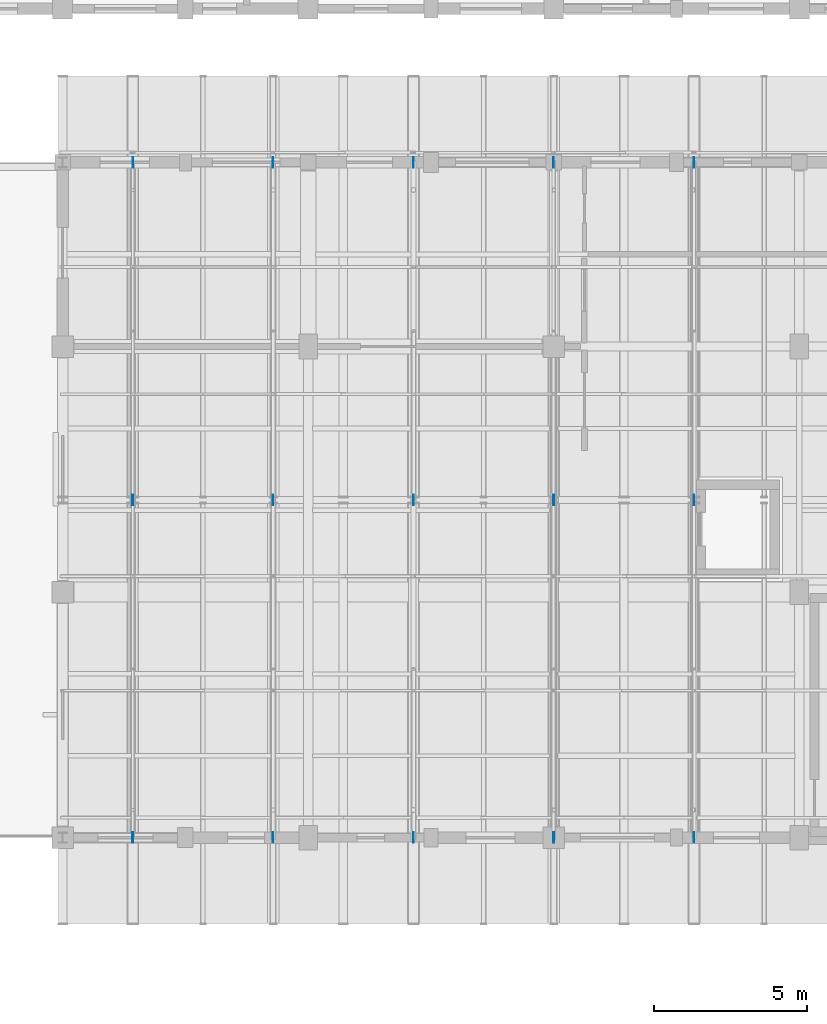
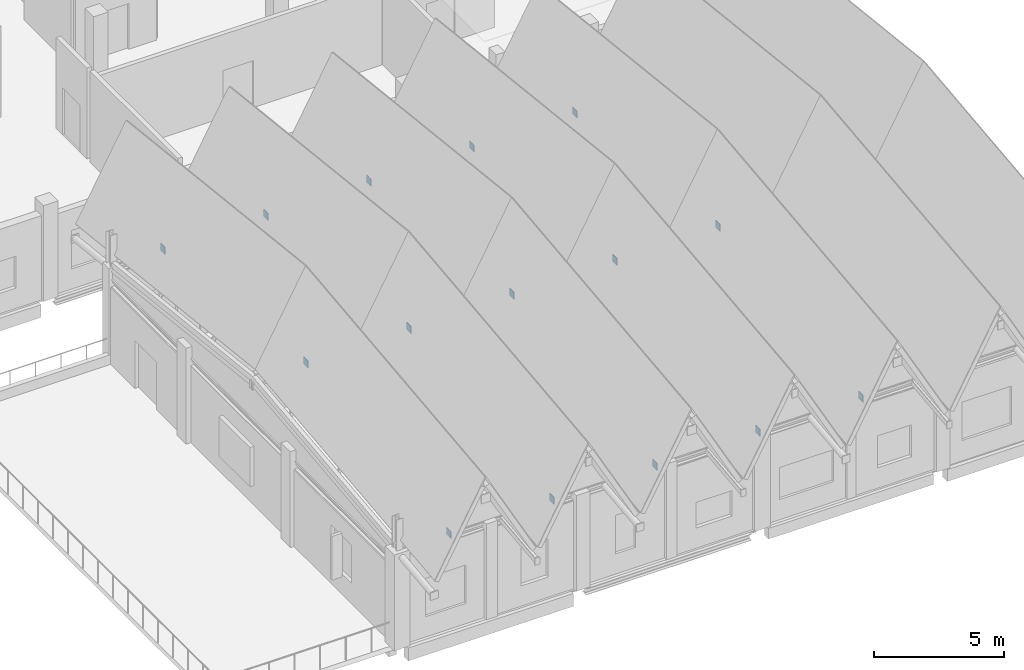
# One storey, part 28 of 48: 15 plates.
"""IFC4 building model written with IfcOpenShell, lengths in metres."""

from ifc_helpers import new_model, si_unit, direction, frame, origin, origin_2d, place, context, subcontext, project, spatial, rectangle, extrude, material, layer, layer_set, type_object, element, save


model = new_model("IFC4")

# Units and contexts
model_context = context("Model", 3, precision=1e-05, world=origin(), true_north=direction((0.0, 1.0)))
body_context = subcontext(model_context, "Body", "Model", "MODEL_VIEW")
ifc_project = project(units=[si_unit("LENGTHUNIT", "METRE"), si_unit("AREAUNIT", "SQUARE_METRE"), si_unit("VOLUMEUNIT", "CUBIC_METRE"), si_unit("PLANEANGLEUNIT", "RADIAN"), si_unit("MASSUNIT", "GRAM", prefix="KILO")], contexts=[model_context])

# Site, building, storey
site_placement = place(None, origin())
site = spatial("IfcSite", under=ifc_project, at=site_placement, CompositionType="ELEMENT")
building_placement = place(site_placement, origin())
building = spatial("IfcBuilding", under=site, at=building_placement, Name="Luwemba Playhouse", CompositionType="ELEMENT")
storey_placement = place(building_placement, frame((0.0, 0.0, 13.800048828125)))
storey = spatial("IfcBuildingStorey", under=building, at=storey_placement, Name="L03", CompositionType="ELEMENT", Elevation=13.800048828125)

# Plates
ifc_material = material(Name="Steel S355", Category="steel")
ifc_layer_1 = layer(ifc_material, 0.01611328125)
ifc_layer_set_1 = layer_set([ifc_layer_1], Name="Steel S355")
plate_type_1 = type_object("IfcPlateType", Name="PLT-GP1", PredefinedType="USERDEFINED", material=ifc_layer_set_1)
for number, where, z_axis, x_axis, name in (
    (1, (142.28564453125, 90.0, 4.22998046875), (0.0, 0.0, 1.0), (1.0, 0.0, 0.0), "Truss node gusset cap plate 0093"),
    (2, (146.857177734375, 90.0, 4.22998046875), (0.0, 0.0, 1.0), (1.0, 0.0, 0.0), "Truss node gusset cap plate 0096"),
    (3, (151.4287109375, 90.0, 4.22998046875), (0.0, 0.0, 1.0), (1.0, 0.0, 0.0), "Truss node gusset cap plate 0099"),
    (4, (156.0, 90.0, 4.22998046875), (0.0, 0.0, 1.0), (1.0, 0.0, 0.0), "Truss node gusset cap plate 0102"),
    (5, (160.5712890625, 90.0, 4.22998046875), (0.0, 0.0, 1.0), (1.0, 0.0, 0.0), "Truss node gusset cap plate 0105"),
):
    element("IfcPlate", number, at=place(storey_placement, frame(where, z_axis=z_axis, x_axis=x_axis)), inside=storey, type_object=plate_type_1, Name=name, ObjectType="GUSSET PLATE", PredefinedType="USERDEFINED", context=body_context, shape_type="SweptSolid", body=[
        extrude(rectangle(XDim=0.01611328125, YDim=0.340087890625, at=origin_2d()), origin(), (0.0, 0.0, 1.0), 0.340087890625),
    ])
ifc_layer_2 = layer(ifc_material, 0.02001953125)
ifc_layer_set_2 = layer_set([ifc_layer_2], Name="Steel S355")
plate_type_2 = type_object("IfcPlateType", Name="PLT-GP2", PredefinedType="USERDEFINED", material=ifc_layer_set_2)
for number, where, z_axis, x_axis, name in (
    (6, (142.28564453125, 68.0, 4.22998046875), (0.0, 0.0, 1.0), (1.0, 0.0, 0.0), "Truss node gusset cap plate 0091"),
    (7, (146.857177734375, 68.0, 4.22998046875), (0.0, 0.0, 1.0), (1.0, 0.0, 0.0), "Truss node gusset cap plate 0094"),
    (8, (151.4287109375, 68.0, 4.22998046875), (0.0, 0.0, 1.0), (1.0, 0.0, 0.0), "Truss node gusset cap plate 0097"),
    (9, (156.0, 68.0, 4.22998046875), (0.0, 0.0, 1.0), (1.0, 0.0, 0.0), "Truss node gusset cap plate 0100"),
    (10, (160.5712890625, 68.0, 4.22998046875), (0.0, 0.0, 1.0), (1.0, 0.0, 0.0), "Truss node gusset cap plate 0103"),
):
    element("IfcPlate", number, at=place(storey_placement, frame(where, z_axis=z_axis, x_axis=x_axis)), inside=storey, type_object=plate_type_2, Name=name, ObjectType="GUSSET PLATE", PredefinedType="USERDEFINED", context=body_context, shape_type="SweptSolid", body=[
        extrude(rectangle(XDim=0.02001953125, YDim=0.340087890625, at=origin_2d()), origin(), (0.0, 0.0, 1.0), 0.340087890625),
    ])
ifc_layer_3 = layer(ifc_material, 0.02490234375)
ifc_layer_set_3 = layer_set([ifc_layer_3], Name="Steel S355")
plate_type_3 = type_object("IfcPlateType", Name="PLT-GP3", PredefinedType="USERDEFINED", material=ifc_layer_set_3)
for number, where, z_axis, x_axis, name in (
    (11, (142.28564453125, 79.0, 5.58349609375), (0.0, 0.0, 1.0), (1.0, 0.0, 0.0), "Truss node gusset cap plate 0092"),
    (12, (146.857177734375, 79.0, 5.58349609375), (0.0, 0.0, 1.0), (1.0, 0.0, 0.0), "Truss node gusset cap plate 0095"),
    (13, (151.4287109375, 79.0, 5.58349609375), (0.0, 0.0, 1.0), (1.0, 0.0, 0.0), "Truss node gusset cap plate 0098"),
    (14, (156.0, 79.0, 5.58349609375), (0.0, 0.0, 1.0), (1.0, 0.0, 0.0), "Truss node gusset cap plate 0101"),
    (15, (160.5712890625, 79.0, 5.58349609375), (0.0, 0.0, 1.0), (1.0, 0.0, 0.0), "Truss node gusset cap plate 0104"),
):
    element("IfcPlate", number, at=place(storey_placement, frame(where, z_axis=z_axis, x_axis=x_axis)), inside=storey, type_object=plate_type_3, Name=name, ObjectType="GUSSET PLATE", PredefinedType="USERDEFINED", context=body_context, shape_type="SweptSolid", body=[
        extrude(rectangle(XDim=0.02490234375, YDim=0.340087890625, at=origin_2d()), origin(), (0.0, 0.0, 1.0), 0.340087890625),
    ])

save(model, "model.ifc")
